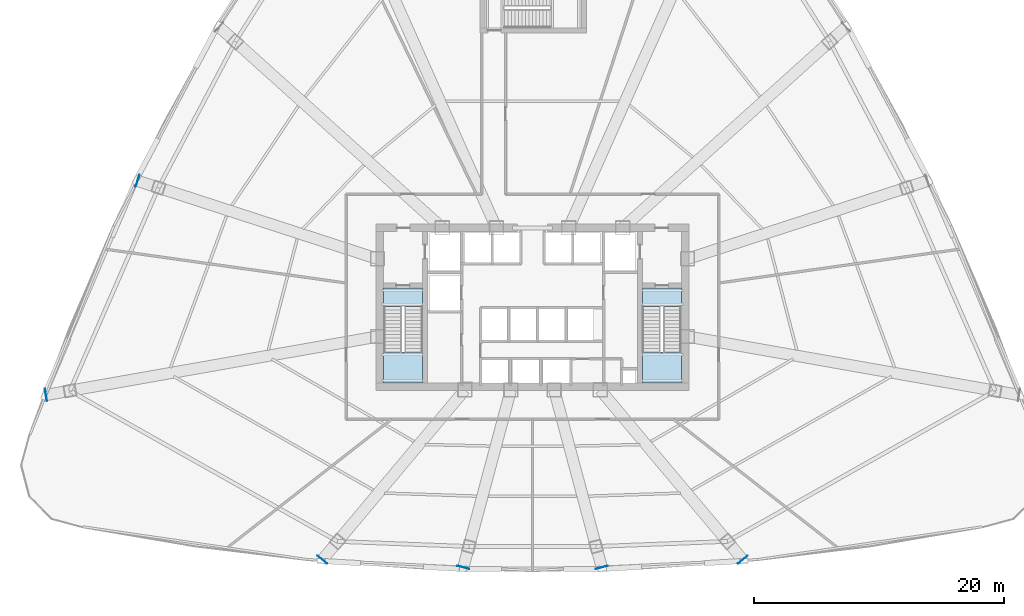
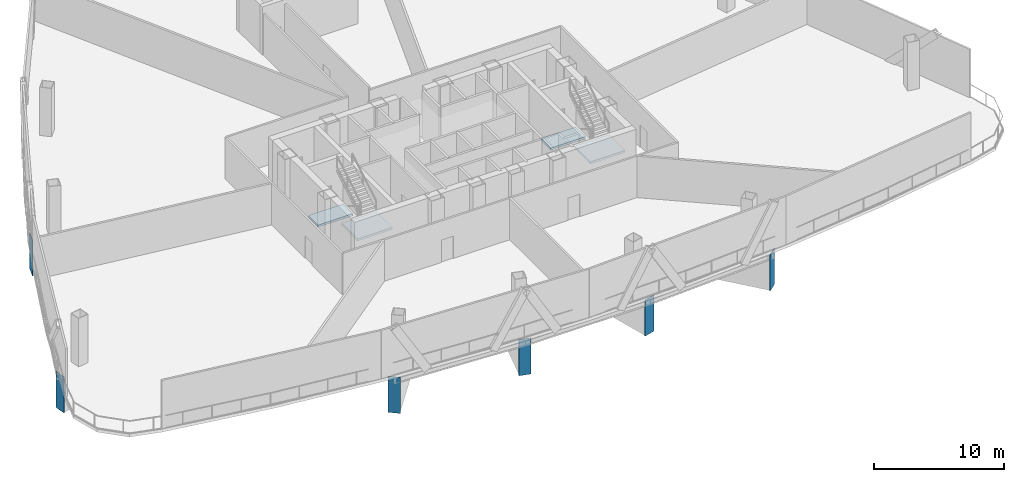
# One storey, part 3 of 15: 6 plates, 4 slabs, 2 elements without a shape of their own.
"""IFC4 building model written with IfcOpenShell, lengths in metres."""

from ifc_helpers import new_model, si_unit, direction, frame, origin, origin_2d, place, context, subcontext, project, spatial, polyline, rectangle, outline, extrude, source, transform, mapped, material, layer, layer_set, type_object, element, aggregate, save


model = new_model("IFC4")

# Units and contexts
model_context = context("Model", 3, precision=1e-05, world=origin(), true_north=direction((0.0, 1.0)))
body_context = subcontext(model_context, "Body", "Model", "MODEL_VIEW")
ifc_project = project(units=[si_unit("LENGTHUNIT", "METRE"), si_unit("AREAUNIT", "SQUARE_METRE"), si_unit("VOLUMEUNIT", "CUBIC_METRE"), si_unit("PLANEANGLEUNIT", "RADIAN"), si_unit("MASSUNIT", "GRAM", prefix="KILO"), si_unit("THERMODYNAMICTEMPERATUREUNIT", "KELVIN"), si_unit("POWERUNIT", "WATT")], contexts=[model_context])

# Site, building, storey
site_placement = place(None, origin())
site = spatial("IfcSite", under=ifc_project, at=site_placement, CompositionType="ELEMENT")
building_placement = place(site_placement, origin())
building = spatial("IfcBuilding", under=site, at=building_placement, Name="Yunzhuo Pagoda Commons", CompositionType="ELEMENT")
storey_placement = place(building_placement, frame((0.0, 0.0, 125.030029296875)))
storey = spatial("IfcBuildingStorey", under=building, at=storey_placement, Name="L31", CompositionType="ELEMENT", Elevation=125.030029296875)

# Stair, slabs
ifc_material_1 = material(Name="Concrete C40", Category="concrete")
stair_type_1 = type_object("IfcStairType", Name="ST-C1 Core Smokeproof Stair ST1", PredefinedType="HALF_TURN_STAIR", material=ifc_material_1)
stair_1_placement = place(storey_placement, origin())
stair_1 = element("IfcStair", 1, at=stair_1_placement, inside=storey, type_object=stair_type_1, Name="L31 Core smokeproof stair ST1", PredefinedType="HALF_TURN_STAIR")
ifc_layer_1 = layer(ifc_material_1, 0.199951171875)
ifc_layer_set_1 = layer_set([ifc_layer_1], Name="Concrete C40")
slab_type_1 = type_object("IfcSlabType", Name="SL-LND1 Stair Landing Slab 200", PredefinedType="LANDING", material=ifc_layer_set_1)
slab_1_placement = place(storey_placement, frame((0.0, 0.0, 2.199951171875)))
slab_1 = element("IfcSlab", 2, at=slab_1_placement, type_object=slab_type_1, Name="ST1 landing 1", PredefinedType="LANDING", context=body_context, shape_type="SweptSolid", body=[
    extrude(outline(polyline([(36.10009765625, 30.260009765625), (36.10009765625, 27.800048828125), (39.199951171875, 27.800048828125), (39.199951171875, 30.260009765625), (36.10009765625, 30.260009765625)])), origin(), (0.0, 0.0, 1.0), 0.199951171875),
])
slab_2_placement = place(storey_placement, frame((0.0, 0.0, -0.199951171875)))
slab_2 = element("IfcSlab", 3, at=slab_2_placement, type_object=slab_type_1, Name="ST1 floor landing L31", PredefinedType="LANDING", context=body_context, shape_type="SweptSolid", body=[
    extrude(outline(polyline([(36.10009765625, 35.39990234375), (36.10009765625, 33.89990234375), (39.199951171875, 33.89990234375), (39.199951171875, 35.39990234375), (36.10009765625, 35.39990234375)])), origin(), (0.0, 0.0, 1.0), 0.199951171875),
])
aggregate(stair_1, [slab_1, slab_2])

stair_type_2 = type_object("IfcStairType", Name="ST-C2 Core Smokeproof Stair ST2", PredefinedType="HALF_TURN_STAIR", material=ifc_material_1)
stair_2_placement = place(storey_placement, origin())
stair_2 = element("IfcStair", 4, at=stair_2_placement, inside=storey, type_object=stair_type_2, Name="L31 Core smokeproof stair ST2", PredefinedType="HALF_TURN_STAIR")
ifc_layer_2 = layer(ifc_material_1, 0.201904296875)
ifc_layer_set_2 = layer_set([ifc_layer_2], Name="Concrete C40")
slab_type_2 = type_object("IfcSlabType", Name="SL-LND2 Stair Landing Slab 202", PredefinedType="LANDING", material=ifc_layer_set_2)
slab_3_placement = place(storey_placement, frame((0.0, 0.0, 2.199951171875)))
slab_3 = element("IfcSlab", 5, at=slab_3_placement, type_object=slab_type_2, Name="ST2 landing 1", PredefinedType="LANDING", context=body_context, shape_type="SweptSolid", body=[
    extrude(outline(polyline([(56.800048828125, 30.260009765625), (56.800048828125, 27.800048828125), (59.89990234375, 27.800048828125), (59.89990234375, 30.260009765625), (56.800048828125, 30.260009765625)])), origin(), (0.0, 0.0, 1.0), 0.199951171875),
])
slab_4_placement = place(storey_placement, frame((0.0, 0.0, -0.199951171875)))
slab_4 = element("IfcSlab", 6, at=slab_4_placement, type_object=slab_type_2, Name="ST2 floor landing L31", PredefinedType="LANDING", context=body_context, shape_type="SweptSolid", body=[
    extrude(outline(polyline([(56.800048828125, 35.39990234375), (56.800048828125, 33.89990234375), (59.89990234375, 33.89990234375), (59.89990234375, 35.39990234375), (56.800048828125, 35.39990234375)])), origin(), (0.0, 0.0, 1.0), 0.199951171875),
])
aggregate(stair_2, [slab_3, slab_4])

# Plates
ifc_material_2 = material(Name="Structural steel Q420B", Category="steel")
ifc_layer_3 = layer(ifc_material_2, 0.0400390625)
ifc_layer_set_3 = layer_set([ifc_layer_3], Name="Structural steel Q420B")
plate_type = type_object("IfcPlateType", Name="EP-TR2 Transfer Girder End Cap Plate 980x3540x40", PredefinedType="USERDEFINED", material=ifc_layer_set_3)
shared_shape = source(origin(), body_context, "Body", "SweptSolid", [
    extrude(rectangle(XDim=0.97998046875, YDim=0.0400390625, at=origin_2d()), origin(), (0.0, 0.0, 1.0), 3.389892578125),
])
for number, where, z_axis, x_axis, name in (
    (7, (31.189697265625, 13.66650390625, -3.64990234375), (0.0, 0.0, 1.0), (0.766044443119, -0.642787609687, 0.0), "L31 transfer girder end cap plate F1C1"),
    (8, (42.466796875, 13.0498046875, -3.64990234375), (0.0, 0.0, 1.0), (0.965925826289, -0.258819045103, 0.0), "L31 transfer girder end cap plate F1C2"),
    (9, (53.533203125, 13.0498046875, -3.64990234375), (0.0, 0.0, 1.0), (0.965925826289, 0.258819045103, 0.0), "L31 transfer girder end cap plate F1C3"),
    (10, (64.810302734375, 13.66650390625, -3.64990234375), (0.0, 0.0, 1.0), (0.766044443119, 0.642787609687, 0.0), "L31 transfer girder end cap plate F1C4"),
    (11, (16.409912109375, 43.96435546875, -3.64990234375), (0.0, 0.0, 1.0), (-0.309016994375, -0.951056516295, 0.0), "L31 transfer girder end cap plate F3C3"),
    (12, (9.087158203125, 26.838623046875, -3.64990234375), (0.0, 0.0, 1.0), (0.173648177667, -0.984807753012, 0.0), "L31 transfer girder end cap plate F3C4"),
):
    element("IfcPlate", number, at=place(storey_placement, frame(where, z_axis=z_axis, x_axis=x_axis)), inside=storey, type_object=plate_type, Name=name, ObjectType="END_PLATE", PredefinedType="USERDEFINED", context=body_context, shape_type="MappedRepresentation", body=[
        mapped(shared_shape, transform((0.0, 0.0, 0.0), scale=1.0)),
    ])

save(model, "model.ifc")
